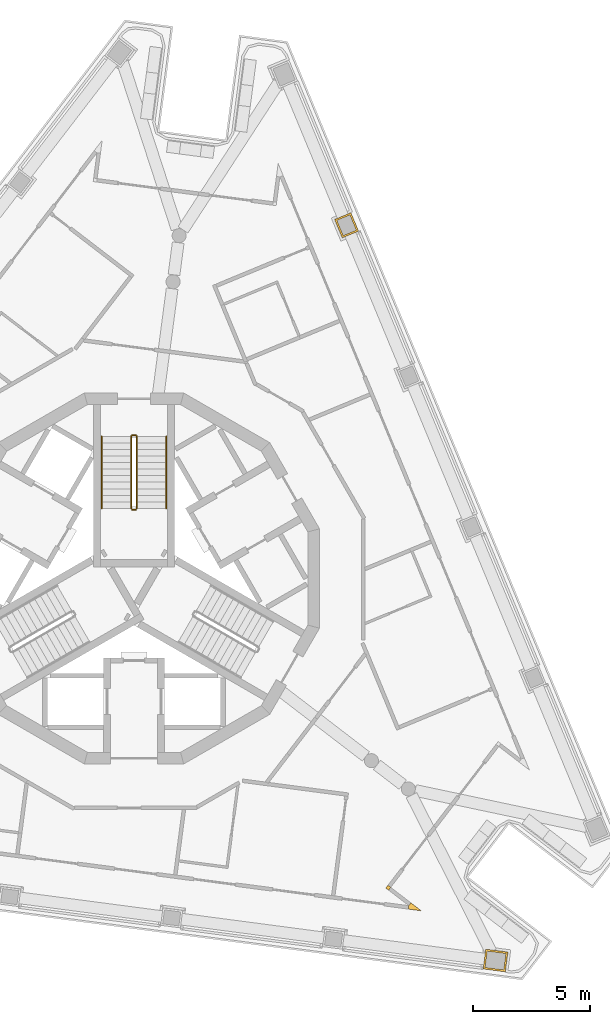
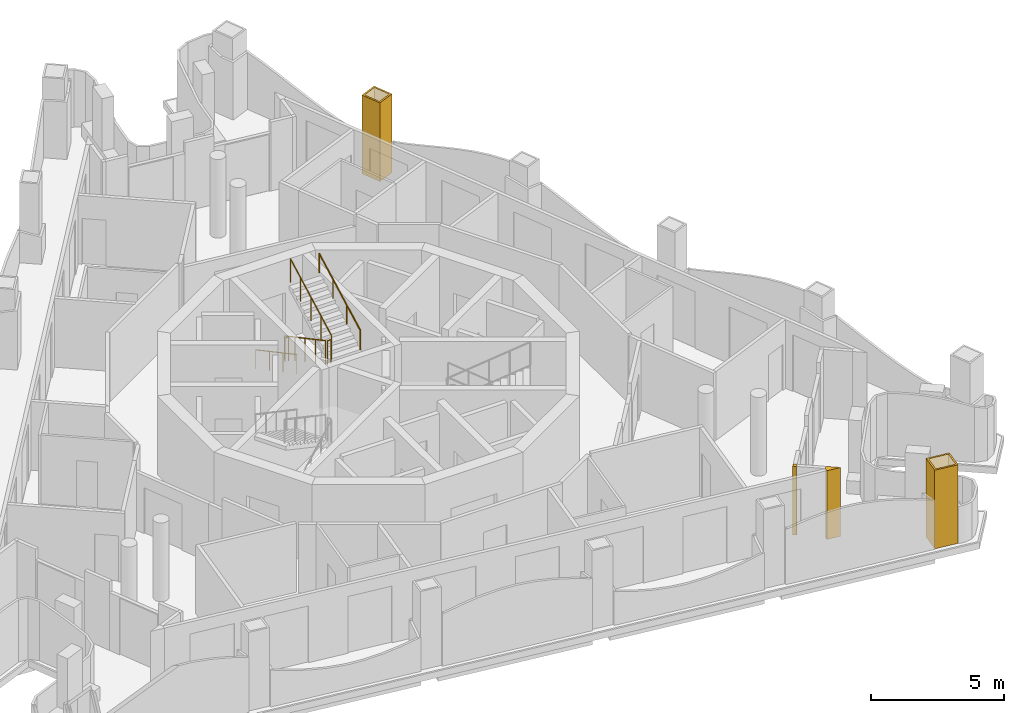
# One storey, part 10 of 12: 6 railings, 4 coverings.
"""IFC4 building model written with IfcOpenShell, lengths in metres."""

from ifc_helpers import new_model, si_unit, direction, frame, origin, origin_2d, place, context, subcontext, project, spatial, polyline, circle, outline, extrude, material, layer, layer_set, type_object, element, save


model = new_model("IFC4")

# Units and contexts
model_context = context("Model", 3, precision=1e-05, world=origin(), true_north=direction((0.0, 1.0)))
body_context = subcontext(model_context, "Body", "Model", "MODEL_VIEW")
ifc_project = project(units=[si_unit("LENGTHUNIT", "METRE"), si_unit("AREAUNIT", "SQUARE_METRE"), si_unit("VOLUMEUNIT", "CUBIC_METRE"), si_unit("PLANEANGLEUNIT", "RADIAN"), si_unit("MASSUNIT", "GRAM", prefix="KILO")], contexts=[model_context])

# Site, building, storey
site_placement = place(None, origin())
site = spatial("IfcSite", under=ifc_project, at=site_placement, CompositionType="ELEMENT")
building_placement = place(site_placement, origin())
building = spatial("IfcBuilding", under=site, at=building_placement, Name="Trine Commons Tower", CompositionType="ELEMENT")
storey_placement = place(building_placement, frame((0.0, 0.0, 297.0)))
storey = spatial("IfcBuildingStorey", under=building, at=storey_placement, Name="L78", CompositionType="ELEMENT", Elevation=297.0)

# Coverings
ifc_material_1 = material(Name="Aluminium-framed insulated wall panel", Category="aluminium")
ifc_layer_1 = layer(ifc_material_1, 0.14990234375)
ifc_layer_set_1 = layer_set([ifc_layer_1], Name="Aluminium-framed insulated wall panel")
covering_type_1 = type_object("IfcCoveringType", Name="Glazing corner post, aluminium", PredefinedType="CLADDING", material=ifc_layer_set_1)
covering_1_placement = place(storey_placement, origin())
element("IfcCovering", 1, at=covering_1_placement, inside=storey, type_object=covering_type_1, Name="Glazing corner post 8-08", PredefinedType="CLADDING", context=body_context, shape_type="SweptSolid", body=[
    extrude(outline(polyline([(90.86962890625, 49.193115234375), (90.9609375, 49.312255859375), (90.841796875, 49.403564453125), (90.75048828125, 49.284423828125), (90.86962890625, 49.193115234375)])), origin(), (0.0, 0.0, 1.0), 3.14990234375),
])
covering_2_placement = place(storey_placement, origin())
element("IfcCovering", 2, at=covering_2_placement, inside=storey, type_object=covering_type_1, Name="Glazing corner post 8-09", PredefinedType="CLADDING", context=body_context, shape_type="SweptSolid", body=[
    extrude(outline(polyline([(91.71142578125, 48.383544921875), (92.266357421875, 48.310302734375), (91.822265625, 48.651123046875), (91.73095703125, 48.5322265625), (91.71142578125, 48.383544921875)])), origin(), (0.0, 0.0, 1.0), 3.14990234375),
])
ifc_material_2 = material(Name="Limestone, honed", Category="masonry")
ifc_layer_2 = layer(ifc_material_2, 0.074951171875)
ifc_layer_set_2 = layer_set([ifc_layer_2], Name="Limestone, honed")
covering_type_2 = type_object("IfcCoveringType", Name="Limestone column cladding 75", PredefinedType="CLADDING", material=ifc_layer_set_2)
covering_3_placement = place(storey_placement, origin())
element("IfcCovering", 3, at=covering_3_placement, inside=storey, type_object=covering_type_2, Name="Limestone pier cladding 8-01", PredefinedType="CLADDING", context=body_context, shape_type="SweptSolid", body=[
    extrude(outline(polyline([(95.019287109375, 46.672119140625), (94.908447265625, 45.829345703125), (95.850341796875, 45.705322265625), (95.961181640625, 46.548095703125), (95.019287109375, 46.672119140625)]), holes=[polyline([(95.083984375, 46.587890625), (94.992431640625, 45.893798828125), (95.78564453125, 45.78955078125), (95.877197265625, 46.4833984375), (95.083984375, 46.587890625)])]), origin(), (0.0, 0.0, 1.0), 3.60009765625),
])
covering_4_placement = place(storey_placement, origin())
element("IfcCovering", 4, at=covering_4_placement, inside=storey, type_object=covering_type_2, Name="Limestone pier cladding 8-14", PredefinedType="CLADDING", context=body_context, shape_type="SweptSolid", body=[
    extrude(outline(polyline([(89.2607421875, 78.11669921875), (88.56787109375, 77.82958984375), (88.89306640625, 77.04443359375), (89.5859375, 77.33154296875), (89.2607421875, 78.11669921875)]), holes=[polyline([(89.22021484375, 78.018798828125), (88.665771484375, 77.789306640625), (88.93359375, 77.142333984375), (89.488037109375, 77.3720703125), (89.22021484375, 78.018798828125)])]), origin(), (0.0, 0.0, 1.0), 3.60009765625),
])

# Railings
ifc_material_3 = material(Name="Stainless steel balustrade", Category="steel")
railing_type_1 = type_object("IfcRailingType", Name="Stair guard, steel balustrade 1100", PredefinedType="GUARDRAIL", material=ifc_material_3)
railing_1_placement = place(storey_placement, frame((79.875, 68.570556640625, 0.14990234375)))
element("IfcRailing", 5, at=railing_1_placement, inside=storey, type_object=railing_type_1, Name="L78 ST1D stair guard 1", PredefinedType="GUARDRAIL", context=body_context, shape_type="SweptSolid", body=[
    extrude(circle(Radius=0.02392578125, at=origin_2d()), frame((0.0, 0.0, 1.076171875), z_axis=(0.0, -0.881467505477, 0.472244678941), x_axis=(1.0, 0.0, 0.0)), (0.0, 0.0, 1.0), 3.494140625),
    extrude(circle(Radius=0.02099609375, at=origin_2d()), origin(), (0.0, 0.0, 1.0), 1.052001953125),
    extrude(circle(Radius=0.02099609375, at=origin_2d()), frame((0.0, -0.77001953125, 0.41259765625)), (0.0, 0.0, 1.0), 1.052001953125),
    extrude(circle(Radius=0.02099609375, at=origin_2d()), frame((0.0, -1.5400390625, 0.8251953125)), (0.0, 0.0, 1.0), 1.052001953125),
    extrude(circle(Radius=0.02099609375, at=origin_2d()), frame((0.0, -2.31005859375, 1.237548828125)), (0.0, 0.0, 1.0), 1.052001953125),
    extrude(circle(Radius=0.02099609375, at=origin_2d()), frame((0.0, -3.080078125, 1.650146484375)), (0.0, 0.0, 1.0), 1.052001953125),
])
railing_2_placement = place(storey_placement, frame((79.925048828125, 65.440673828125, 1.800048828125)))
element("IfcRailing", 6, at=railing_2_placement, inside=storey, type_object=railing_type_1, Name="L78 ST1D stair guard 2", PredefinedType="GUARDRAIL", context=body_context, shape_type="SweptSolid", body=[
    extrude(circle(Radius=0.02392578125, at=origin_2d()), frame((0.0, 0.0, 1.076171875), z_axis=(1.0, 0.0, 0.0), x_axis=(0.0, 1.0, 0.0)), (0.0, 0.0, 1.0), 0.14990234375),
    extrude(circle(Radius=0.02099609375, at=origin_2d()), origin(), (0.0, 0.0, 1.0), 1.052001953125),
    extrude(circle(Radius=0.02099609375, at=origin_2d()), frame((0.14990234375, 0.0, 0.0)), (0.0, 0.0, 1.0), 1.052001953125),
])
railing_3_placement = place(storey_placement, frame((80.125, 65.490478515625, 1.949951171875)))
element("IfcRailing", 7, at=railing_3_placement, inside=storey, type_object=railing_type_1, Name="L78 ST1D stair guard 3", PredefinedType="GUARDRAIL", context=body_context, shape_type="SweptSolid", body=[
    extrude(circle(Radius=0.02392578125, at=origin_2d()), frame((0.0, 0.0, 1.076171875), z_axis=(0.0, 0.881467505477, 0.472244678941), x_axis=(-1.0, 0.0, 0.0)), (0.0, 0.0, 1.0), 3.494140625),
    extrude(circle(Radius=0.02099609375, at=origin_2d()), origin(), (0.0, 0.0, 1.0), 1.052001953125),
    extrude(circle(Radius=0.02099609375, at=origin_2d()), frame((0.0, 0.77001953125, 0.41259765625)), (0.0, 0.0, 1.0), 1.052001953125),
    extrude(circle(Radius=0.02099609375, at=origin_2d()), frame((0.0, 1.5400390625, 0.8251953125)), (0.0, 0.0, 1.0), 1.052001953125),
    extrude(circle(Radius=0.02099609375, at=origin_2d()), frame((0.0, 2.31005859375, 1.237548828125)), (0.0, 0.0, 1.0), 1.052001953125),
    extrude(circle(Radius=0.02099609375, at=origin_2d()), frame((0.0, 3.080078125, 1.650146484375)), (0.0, 0.0, 1.0), 1.052001953125),
])
railing_4_placement = place(storey_placement, frame((79.925048828125, 68.62060546875, 0.0)))
element("IfcRailing", 8, at=railing_4_placement, inside=storey, type_object=railing_type_1, Name="L78 ST1D stair guard 4", PredefinedType="GUARDRAIL", context=body_context, shape_type="SweptSolid", body=[
    extrude(circle(Radius=0.02392578125, at=origin_2d()), frame((0.0, 0.0, 1.076171875), z_axis=(1.0, 0.0, 0.0), x_axis=(0.0, 1.0, 0.0)), (0.0, 0.0, 1.0), 0.14990234375),
    extrude(circle(Radius=0.02099609375, at=origin_2d()), origin(), (0.0, 0.0, 1.0), 1.052001953125),
    extrude(circle(Radius=0.02099609375, at=origin_2d()), frame((0.14990234375, 0.0, 0.0)), (0.0, 0.0, 1.0), 1.052001953125),
])
ifc_material_4 = material(Name="Stainless steel handrail", Category="steel")
railing_type_2 = type_object("IfcRailingType", Name="Stair handrail, steel 900", PredefinedType="HANDRAIL", material=ifc_material_4)
railing_5_placement = place(storey_placement, frame((78.625, 68.570556640625, 0.14990234375)))
element("IfcRailing", 9, at=railing_5_placement, inside=storey, type_object=railing_type_2, Name="L78 ST1D stair handrail 1", PredefinedType="HANDRAIL", context=body_context, shape_type="SweptSolid", body=[
    extrude(circle(Radius=0.02099609375, at=origin_2d()), frame((0.0, 0.0, 0.87890625), z_axis=(0.0, -0.881467505477, 0.472244678941), x_axis=(1.0, 0.0, 0.0)), (0.0, 0.0, 1.0), 3.494140625),
    extrude(circle(Radius=0.01513671875, at=origin_2d()), origin(), (0.0, 0.0, 1.0), 0.85791015625),
    extrude(circle(Radius=0.01513671875, at=origin_2d()), frame((0.0, -1.026611328125, 0.550048828125)), (0.0, 0.0, 1.0), 0.85791015625),
    extrude(circle(Radius=0.01513671875, at=origin_2d()), frame((0.0, -2.053466796875, 1.10009765625)), (0.0, 0.0, 1.0), 0.85791015625),
    extrude(circle(Radius=0.01513671875, at=origin_2d()), frame((0.0, -3.080078125, 1.650146484375)), (0.0, 0.0, 1.0), 0.85791015625),
])
railing_6_placement = place(storey_placement, frame((81.375, 65.490478515625, 1.949951171875)))
element("IfcRailing", 10, at=railing_6_placement, inside=storey, type_object=railing_type_2, Name="L78 ST1D stair handrail 2", PredefinedType="HANDRAIL", context=body_context, shape_type="SweptSolid", body=[
    extrude(circle(Radius=0.02099609375, at=origin_2d()), frame((0.0, 0.0, 0.87890625), z_axis=(0.0, 0.881467505477, 0.472244678941), x_axis=(-1.0, 0.0, 0.0)), (0.0, 0.0, 1.0), 3.494140625),
    extrude(circle(Radius=0.01513671875, at=origin_2d()), origin(), (0.0, 0.0, 1.0), 0.85791015625),
    extrude(circle(Radius=0.01513671875, at=origin_2d()), frame((0.0, 1.026611328125, 0.550048828125)), (0.0, 0.0, 1.0), 0.85791015625),
    extrude(circle(Radius=0.01513671875, at=origin_2d()), frame((0.0, 2.053466796875, 1.10009765625)), (0.0, 0.0, 1.0), 0.85791015625),
    extrude(circle(Radius=0.01513671875, at=origin_2d()), frame((0.0, 3.080078125, 1.650146484375)), (0.0, 0.0, 1.0), 0.85791015625),
])

save(model, "model.ifc")
